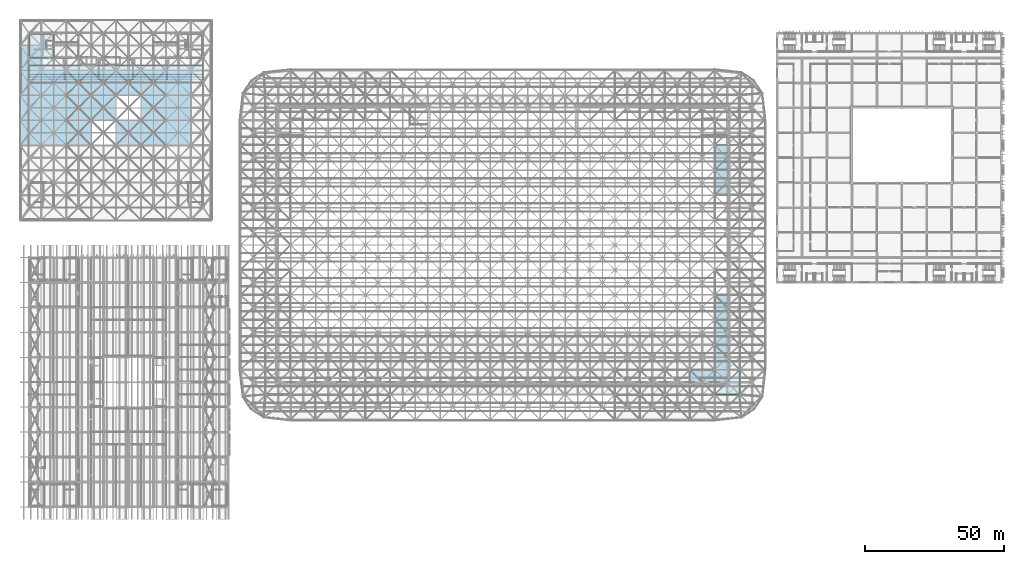
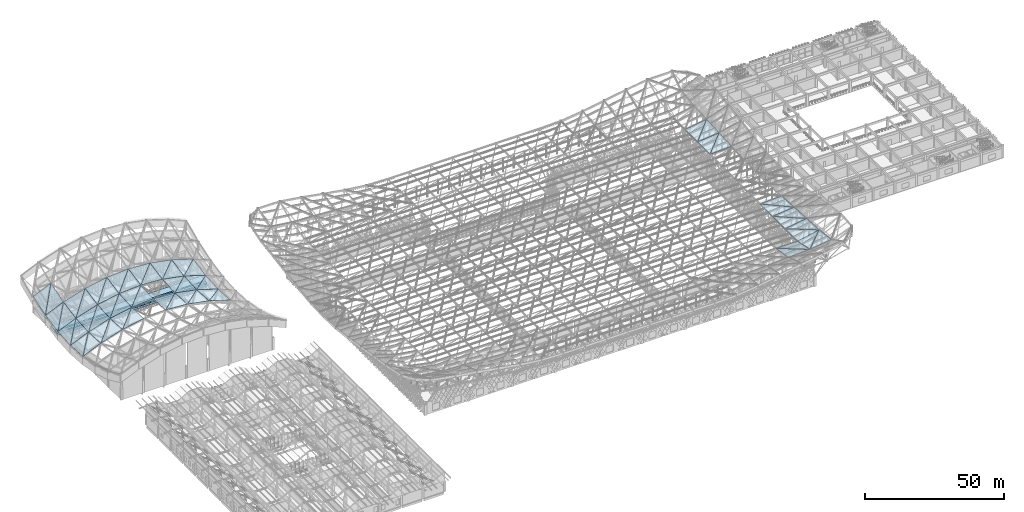
# One storey, part 242 of 437: 58 slabs.
"""IFC4 building model written with IfcOpenShell, lengths in metres."""

from ifc_helpers import new_model, si_unit, direction, frame, origin, place, context, subcontext, project, spatial, polyline, outline, extrude, material, layer, layer_set, type_object, element, save


model = new_model("IFC4")

# Units and contexts
model_context = context("Model", 3, precision=1e-05, world=origin(), true_north=direction((0.0, 1.0)))
body_context = subcontext(model_context, "Body", "Model", "MODEL_VIEW")
ifc_project = project(units=[si_unit("LENGTHUNIT", "METRE"), si_unit("AREAUNIT", "SQUARE_METRE"), si_unit("VOLUMEUNIT", "CUBIC_METRE"), si_unit("PLANEANGLEUNIT", "RADIAN"), si_unit("MASSUNIT", "GRAM", prefix="KILO")], contexts=[model_context])

# Site, building, storey
site_placement = place(None, origin())
site = spatial("IfcSite", under=ifc_project, at=site_placement, CompositionType="ELEMENT")
building_placement = place(site_placement, origin())
building = spatial("IfcBuilding", under=site, at=building_placement, Name="Opaline Strait Convention Centre", CompositionType="ELEMENT")
storey_placement = place(building_placement, frame((0.0, 0.0, 11.5)))
storey = spatial("IfcBuildingStorey", under=building, at=storey_placement, Name="L02", CompositionType="ELEMENT", Elevation=11.5)

# Slabs
ifc_material_1 = material(Name="Concrete C35", Category="concrete")
ifc_layer_1 = layer(ifc_material_1, 0.25)
ifc_layer_set_1 = layer_set([ifc_layer_1], Name="Concrete C35")
slab_type_1 = type_object("IfcSlabType", Name="Core roof slab 250", PredefinedType="ROOF", material=ifc_layer_set_1)
slab_1_placement = place(storey_placement, frame((0.0, 0.0, 2.25)))
element("IfcSlab", 1, at=slab_1_placement, inside=storey, type_object=slab_type_1, Name="PFS10 NW core roof slab", PredefinedType="ROOF", context=body_context, shape_type="SweptSolid", body=[
    extrude(outline(polyline([(17.85009765625, 171.14990234375), (9.39990234375, 171.14990234375), (9.39990234375, 171.39990234375), (9.199951171875, 171.39990234375), (9.199951171875, 179.550048828125), (17.85009765625, 179.550048828125), (17.85009765625, 177.300048828125), (15.25, 177.300048828125), (15.25, 174.199951171875), (17.85009765625, 174.199951171875), (17.85009765625, 171.14990234375)])), origin(), (0.0, 0.0, 1.0), 0.25),
])
ifc_material_2 = material(Name="Steel Q235-B insulated roof panel", Category="steel")
ifc_layer_2 = layer(ifc_material_2, 0.1201171875)
ifc_layer_set_2 = layer_set([ifc_layer_2], Name="Steel Q235-B insulated roof panel")
slab_type_2 = type_object("IfcSlabType", Name="Insulated roof panel 120 steel Q235B facings", PredefinedType="ROOF", material=ifc_layer_set_2)
slab_2_placement = place(storey_placement, frame((256.5, 49.5, 20.34375), z_axis=(0.0, 0.200080818622, 0.979779396609), x_axis=(0.0, 0.979779396609, -0.200080818622)))
element("IfcSlab", 2, at=slab_2_placement, inside=storey, type_object=slab_type_2, Name="EXB-RF-D-18-1a", PredefinedType="ROOF", context=body_context, shape_type="SweptSolid", body=[
    extrude(outline(polyline([(0.0, 0.0), (9.185741230268949, 0.0), (9.185741230268949, 9.0), (0.0, 0.0)])), origin(), (0.0, 0.0, -1.0), 0.1201171875),
])
slab_3_placement = place(storey_placement, frame((247.5, 49.5, 19.9052734375), z_axis=(-0.047870172727, 0.153677176429, 0.986960876635), x_axis=(0.998825819985, 0.0, 0.048445653378)))
element("IfcSlab", 3, at=slab_3_placement, inside=storey, type_object=slab_type_2, Name="EXB-RF-D-18-1b", PredefinedType="ROOF", context=body_context, shape_type="SweptSolid", body=[
    extrude(outline(polyline([(0.0, 0.0), (9.010580043009819, 0.0), (-0.06789014902118, 9.10819526151408), (0.0, 0.0)])), origin(), (0.0, 0.0, -1.0), 0.1201171875),
])
slab_4_placement = place(storey_placement, frame((256.5, 49.5, 20.34326171875), z_axis=(-0.128055354825, 0.128055354825, 0.983465125056), x_axis=(0.991629186244, 0.0, 0.129118383625)))
element("IfcSlab", 4, at=slab_4_placement, inside=storey, type_object=slab_type_2, Name="EXB-RF-D-19-1a", PredefinedType="ROOF", context=body_context, shape_type="SweptSolid", body=[
    extrude(outline(polyline([(0.0, 0.0), (9.075973282002598, 0.0), (8.924662676191517, 9.074711902655318), (0.0, 0.0)])), origin(), (0.0, 0.0, -1.0), 0.1201171875),
])
slab_5_placement = place(storey_placement, frame((256.5, 49.5, 20.351318359375), z_axis=(-0.196192334495, 0.196192334495, 0.960737808026), x_axis=(0.707106781187, 0.707106781187, 0.0)))
element("IfcSlab", 5, at=slab_5_placement, inside=storey, type_object=slab_type_2, Name="EXB-RF-D-19-1b", PredefinedType="ROOF", context=body_context, shape_type="SweptSolid", body=[
    extrude(outline(polyline([(0.0, 0.0), (12.727922061357857, 0.0), (6.3639610306789285, 6.624035171212704), (0.0, 0.0)])), origin(), (0.0, 0.0, -1.0), 0.1201171875),
])
slab_6_placement = place(storey_placement, frame((265.5, 58.5, 20.3427734375), z_axis=(-0.153677176429, 0.047870172727, 0.986960876635), x_axis=(0.0, 0.998825819985, -0.048445653378)))
element("IfcSlab", 6, at=slab_6_placement, inside=storey, type_object=slab_type_2, Name="EXB-RF-D-19-2a", PredefinedType="ROOF", context=body_context, shape_type="SweptSolid", body=[
    extrude(outline(polyline([(0.0, 0.0), (9.010580043009819, 0.0), (9.078470192030998, 9.10819526151408), (0.0, 0.0)])), origin(), (0.0, 0.0, -1.0), 0.1201171875),
])
slab_7_placement = place(storey_placement, frame((256.5, 58.5, 18.507568359375), z_axis=(-0.200080818622, 0.0, 0.979779396609), x_axis=(0.979779396609, 0.0, 0.200080818622)))
element("IfcSlab", 7, at=slab_7_placement, inside=storey, type_object=slab_type_2, Name="EXB-RF-D-19-2b", PredefinedType="ROOF", context=body_context, shape_type="SweptSolid", body=[
    extrude(outline(polyline([(0.0, 0.0), (9.185741230268949, 0.0), (0.0, 9.0), (0.0, 0.0)])), origin(), (0.0, 0.0, -1.0), 0.1201171875),
])
slab_8_placement = place(storey_placement, frame((265.5, 67.5, 19.90380859375), z_axis=(-0.09823999425, 0.056491365692, 0.993558065305), x_axis=(0.0, 0.998387513024, -0.056765956687)))
element("IfcSlab", 8, at=slab_8_placement, inside=storey, type_object=slab_type_2, Name="EXB-RF-D-19-3a", PredefinedType="ROOF", context=body_context, shape_type="SweptSolid", body=[
    extrude(outline(polyline([(0.0, 0.0), (9.014535821610648, 0.0), (9.065051425156282, 9.043746843781088), (0.0, 0.0)])), origin(), (0.0, 0.0, -1.0), 0.1201171875),
])
slab_9_placement = place(storey_placement, frame((256.5, 67.5, 18.50439453125), z_axis=(-0.153879728486, 0.0, 0.988089585595), x_axis=(0.988089585595, 0.0, 0.153879728486)))
element("IfcSlab", 9, at=slab_9_placement, inside=storey, type_object=slab_type_2, Name="EXB-RF-D-19-3b", PredefinedType="ROOF", context=body_context, shape_type="SweptSolid", body=[
    extrude(outline(polyline([(0.0, 0.0), (9.108485840968758, 0.0), (0.0, 8.999999999999998), (0.0, 0.0)])), origin(), (0.0, 0.0, -1.0), 0.1201171875),
])
slab_10_placement = place(storey_placement, frame((265.5, 76.5, 19.390380859375), z_axis=(-0.044540921883, 0.054066076502, 0.997543465544), x_axis=(0.0, 0.998534450404, -0.054119787107)))
element("IfcSlab", 10, at=slab_10_placement, inside=storey, type_object=slab_type_2, Name="EXB-RF-D-19-4a", PredefinedType="ROOF", context=body_context, shape_type="SweptSolid", body=[
    extrude(outline(polyline([(0.0, 0.0), (9.013209305256478, 3.469446951953614e-18), (9.034957637672953, 9.008940827189475), (0.0, 0.0)])), origin(), (0.0, 0.0, -1.0), 0.1201171875),
])
slab_11_placement = place(storey_placement, frame((256.5, 76.5, 18.501708984375), z_axis=(-0.098397125827, 0.0, 0.995147228117), x_axis=(0.995147228117, 0.0, 0.098397125827)))
element("IfcSlab", 11, at=slab_11_placement, inside=storey, type_object=slab_type_2, Name="EXB-RF-D-19-4b", PredefinedType="ROOF", context=body_context, shape_type="SweptSolid", body=[
    extrude(outline(polyline([(0.0, 0.0), (9.043887925035445, 0.0), (0.0, 9.0), (0.0, 0.0)])), origin(), (0.0, 0.0, -1.0), 0.1201171875),
])
slab_12_placement = place(storey_placement, frame((256.5, 121.5, 18.500732421875), z_axis=(-0.044540921883, -0.054066076502, 0.997543465544), x_axis=(0.999004649677, 0.0, 0.044606164642)))
element("IfcSlab", 12, at=slab_12_placement, inside=storey, type_object=slab_type_2, Name="EXB-RF-D-19-9a", PredefinedType="ROOF", context=body_context, shape_type="SweptSolid", body=[
    extrude(outline(polyline([(0.0, 0.0), (9.008967078292844, 3.469446951953614e-18), (9.030725651768186, 9.013183041791745), (0.0, 0.0)])), origin(), (0.0, 0.0, -1.0), 0.1201171875),
])
slab_13_placement = place(storey_placement, frame((256.5, 121.5, 18.501708984375), z_axis=(-0.098397125827, 0.0, 0.995147228117), x_axis=(0.70538480759, 0.70538480759, 0.069746300555)))
element("IfcSlab", 13, at=slab_13_placement, inside=storey, type_object=slab_type_2, Name="EXB-RF-D-19-9b", PredefinedType="ROOF", context=body_context, shape_type="SweptSolid", body=[
    extrude(outline(polyline([(0.0, 0.0), (12.75899325184405, -1.0477729794899915e-15), (6.348463268314147, 6.379421143870819), (0.0, 0.0)])), origin(), (0.0, 0.0, -1.0), 0.1201171875),
])
slab_14_placement = place(storey_placement, frame((256.5, 130.5, 18.502197265625), z_axis=(-0.09823999425, -0.056491365692, 0.993558065305), x_axis=(0.995147228117, 0.0, 0.098397125827)))
element("IfcSlab", 14, at=slab_14_placement, inside=storey, type_object=slab_type_2, Name="EXB-RF-D-19-10a", PredefinedType="ROOF", context=body_context, shape_type="SweptSolid", body=[
    extrude(outline(polyline([(0.0, 0.0), (9.043887925035445, 6.938893903907228e-18), (9.094239579267231, 9.014395198238075), (0.0, 0.0)])), origin(), (0.0, 0.0, -1.0), 0.1201171875),
])
slab_15_placement = place(storey_placement, frame((256.5, 130.5, 18.50439453125), z_axis=(-0.153879728486, 0.0, 0.988089585595), x_axis=(0.702857973456, 0.702857973456, 0.10945929974)))
element("IfcSlab", 15, at=slab_15_placement, inside=storey, type_object=slab_type_2, Name="EXB-RF-D-19-10b", PredefinedType="ROOF", context=body_context, shape_type="SweptSolid", body=[
    extrude(outline(polyline([(0.0, 0.0), (12.804862916686314, 1.1102230246251565e-15), (6.325721761101169, 6.401971899433105), (0.0, 0.0)])), origin(), (0.0, 0.0, -1.0), 0.1201171875),
])
ifc_layer_3 = layer(ifc_material_1, 0.300048828125)
ifc_layer_set_3 = layer_set([ifc_layer_3], Name="Concrete C35")
slab_type_3 = type_object("IfcSlabType", Name="Seating tier 300 C35", PredefinedType="USERDEFINED", material=ifc_layer_set_3)
slab_16_placement = place(storey_placement, origin())
element("IfcSlab", 16, at=slab_16_placement, inside=storey, type_object=slab_type_3, Name="PT1 Upper Circle row 1", ObjectType="SEATING TIER", PredefinedType="USERDEFINED", context=body_context, shape_type="SweptSolid", body=[
    extrude(outline(polyline([(9.199951171875, 163.300048828125), (9.199951171875, 164.199951171875), (71.800048828125, 164.199951171875), (71.800048828125, 163.300048828125), (9.199951171875, 163.300048828125)])), origin(), (0.0, 0.0, 1.0), 0.25),
])
slab_17_placement = place(storey_placement, origin())
element("IfcSlab", 17, at=slab_17_placement, inside=storey, type_object=slab_type_3, Name="PT1 Upper Circle row 2", ObjectType="SEATING TIER", PredefinedType="USERDEFINED", context=body_context, shape_type="SweptSolid", body=[
    extrude(outline(polyline([(9.199951171875, 164.199951171875), (9.199951171875, 165.10009765625), (71.800048828125, 165.10009765625), (71.800048828125, 164.199951171875), (9.199951171875, 164.199951171875)])), origin(), (0.0, 0.0, 1.0), 0.804931640625),
])
slab_18_placement = place(storey_placement, origin())
element("IfcSlab", 18, at=slab_18_placement, inside=storey, type_object=slab_type_3, Name="PT1 Upper Circle row 3", ObjectType="SEATING TIER", PredefinedType="USERDEFINED", context=body_context, shape_type="SweptSolid", body=[
    extrude(outline(polyline([(9.199951171875, 165.10009765625), (9.199951171875, 168.199951171875), (71.800048828125, 168.199951171875), (71.800048828125, 165.10009765625), (9.199951171875, 165.10009765625)])), origin(), (0.0, 0.0, 1.0), 1.364013671875),
])
ifc_material_3 = material(Name="Steel Q235-B profiled roof deck with insulation and membrane", Category="steel")
ifc_layer_4 = layer(ifc_material_3, 0.199951171875)
ifc_layer_set_4 = layer_set([ifc_layer_4], Name="Steel Q235-B profiled roof deck with insulation and membrane")
slab_type_4 = type_object("IfcSlabType", Name="Shell roof deck panel 200", PredefinedType="ROOF", material=ifc_layer_set_4)
slab_19_placement = place(storey_placement, frame((6.03857421875, 139.523193359375, 6.408203125), z_axis=(-0.397356792531, 0.058158786698, 0.915819379004), x_axis=(0.917372173394, 0.0, 0.398030520792)))
element("IfcSlab", 19, at=slab_19_placement, inside=storey, type_object=slab_type_4, Name="PRD1 roof deck 1-4a", PredefinedType="ROOF", context=body_context, shape_type="SweptSolid", body=[
    extrude(outline(polyline([(0.0, 0.0), (8.112453034563291, 0.0), (7.886714533635452, 8.945806224123345), (0.0, 0.0)])), origin(), (0.0, 0.0, -1.0), 0.199951171875),
])
slab_20_placement = place(storey_placement, frame((6.019287109375, 139.546142578125, 6.3984375), z_axis=(-0.397356792531, 0.058158786698, 0.915819379004), x_axis=(0.624030248267, 0.748844486487, 0.223199875237)))
element("IfcSlab", 20, at=slab_20_placement, inside=storey, type_object=slab_type_4, Name="PRD1 roof deck 1-4b", PredefinedType="ROOF", context=body_context, shape_type="SweptSolid", body=[
    extrude(outline(polyline([(0.0, 0.0), (11.925926175128735, -1.1102230246251565e-16), (6.561093263068996, 6.0852659813418), (0.0, 0.0)])), origin(), (0.0, 0.0, -1.0), 0.199951171875),
])
slab_21_placement = place(storey_placement, frame((6.03857421875, 148.523193359375, 5.839599609375), z_axis=(-0.397356792531, -0.058158786698, 0.915819379004), x_axis=(0.917372173394, 0.0, 0.398030520792)))
element("IfcSlab", 21, at=slab_21_placement, inside=storey, type_object=slab_type_4, Name="PRD1 roof deck 1-5a", PredefinedType="ROOF", context=body_context, shape_type="SweptSolid", body=[
    extrude(outline(polyline([(0.0, 0.0), (8.112453034563291, 0.0), (8.338191535491129, 8.945806224123347), (0.0, 0.0)])), origin(), (0.0, 0.0, -1.0), 0.199951171875),
])
slab_22_placement = place(storey_placement, frame((6.019287109375, 148.546142578125, 5.832763671875), z_axis=(-0.397356792531, -0.058158786698, 0.915819379004), x_axis=(0.608555732012, 0.730274863924, 0.310416726604)))
element("IfcSlab", 22, at=slab_22_placement, inside=storey, type_object=slab_type_4, Name="PRD1 roof deck 1-5b", PredefinedType="ROOF", context=body_context, shape_type="SweptSolid", body=[
    extrude(outline(polyline([(0.0, 0.0), (12.229181783018026, 4.440892098500626e-16), (6.697888813050301, 5.934365367786246), (0.0, 0.0)])), origin(), (0.0, 0.0, -1.0), 0.199951171875),
])
slab_23_placement = place(storey_placement, frame((6.03857421875, 157.523193359375, 6.4169921875), z_axis=(-0.392090681836, -0.172114642209, 0.903682160472), x_axis=(0.917372173394, 0.0, 0.398030520792)))
element("IfcSlab", 23, at=slab_23_placement, inside=storey, type_object=slab_type_4, Name="PRD1 roof deck 1-6a", PredefinedType="ROOF", context=body_context, shape_type="SweptSolid", body=[
    extrude(outline(polyline([(0.0, 0.0), (8.112453034563291, -1.1102230246251565e-16), (8.789474186506576, 9.065955995625417), (0.0, 0.0)])), origin(), (0.0, 0.0, -1.0), 0.199951171875),
])
slab_24_placement = place(storey_placement, frame((6.019287109375, 157.546142578125, 6.4130859375), z_axis=(-0.3920639263, -0.17214061533, 0.90368882158), x_axis=(0.589373193853, 0.707255566418, 0.390421313633)))
element("IfcSlab", 24, at=slab_24_placement, inside=storey, type_object=slab_type_4, Name="PRD1 roof deck 1-6b", PredefinedType="ROOF", context=body_context, shape_type="SweptSolid", body=[
    extrude(outline(polyline([(0.0, 0.0), (12.62720929540181, 1.1102230246251565e-15), (6.980435628166092, 5.824454033345055), (0.0, 0.0)])), origin(), (0.0, 0.0, -1.0), 0.199951171875),
])
slab_25_placement = place(storey_placement, frame((6.03857421875, 166.523193359375, 8.139892578125), z_axis=(-0.382153424554, -0.279619637498, 0.88077898387), x_axis=(0.917372173394, 0.0, 0.398030520792)))
element("IfcSlab", 25, at=slab_25_placement, inside=storey, type_object=slab_type_4, Name="PRD1 roof deck 1-7a", PredefinedType="ROOF", context=body_context, shape_type="SweptSolid", body=[
    extrude(outline(polyline([(0.0, 0.0), (8.112453034563291, 0.0), (9.240951188362253, 9.30170093849115), (0.0, 0.0)])), origin(), (0.0, 0.0, -1.0), 0.199951171875),
])
slab_26_placement = place(storey_placement, frame((6.019287109375, 166.546142578125, 8.138916015625), z_axis=(-0.382128749771, -0.279622724987, 0.880788709208), x_axis=(0.567599905528, 0.681127334718, 0.462488811912)))
element("IfcSlab", 26, at=slab_26_placement, inside=storey, type_object=slab_type_4, Name="PRD1 roof deck 1-7b", PredefinedType="ROOF", context=body_context, shape_type="SweptSolid", body=[
    extrude(outline(polyline([(0.0, 0.0), (13.111592513302204, 1.3322676295501878e-15), (7.394170038265126, 5.755119275695084), (0.0, 0.0)])), origin(), (0.0, 0.0, -1.0), 0.199951171875),
])
slab_27_placement = place(storey_placement, frame((13.546142578125, 139.523193359375, 9.652099609375), z_axis=(-0.302010350504, 0.060391666713, 0.951389822722), x_axis=(0.953129515183, 0.0, 0.30256260061)))
element("IfcSlab", 27, at=slab_27_placement, inside=storey, type_object=slab_type_4, Name="PRD1 roof deck 2-4a", PredefinedType="ROOF", context=body_context, shape_type="SweptSolid", body=[
    extrude(outline(polyline([(0.0, 0.0), (9.36983266202657, 0.0), (9.198311578380181, 8.946994496737714), (0.0, 0.0)])), origin(), (0.0, 0.0, -1.0), 0.199951171875),
])
slab_28_placement = place(storey_placement, frame((13.523193359375, 139.546142578125, 9.643310546875), z_axis=(-0.30203351196, 0.060417105682, 0.95138085486), x_axis=(0.695973656748, 0.695973656748, 0.176752194401)))
element("IfcSlab", 28, at=slab_28_placement, inside=storey, type_object=slab_type_4, Name="PRD1 roof deck 2-4b", PredefinedType="ROOF", context=body_context, shape_type="SweptSolid", body=[
    extrude(outline(polyline([(0.0, 0.0), (12.831899563884445, 2.220446049250313e-16), (6.1152639199826835, 6.533142739855235), (0.0, 0.0)])), origin(), (0.0, 0.0, -1.0), 0.199951171875),
])
slab_29_placement = place(storey_placement, frame((13.546142578125, 148.523193359375, 9.08349609375), z_axis=(-0.302033986457, -0.060391192332, 0.951382349486), x_axis=(0.953122000875, 0.0, 0.302586271082)))
element("IfcSlab", 29, at=slab_29_placement, inside=storey, type_object=slab_type_4, Name="PRD1 roof deck 2-5a", PredefinedType="ROOF", context=body_context, shape_type="SweptSolid", body=[
    extrude(outline(polyline([(0.0, 0.0), (9.369906532738456, -2.7755575615628914e-17), (9.54144103504598, 8.946994239481116), (0.0, 0.0)])), origin(), (0.0, 0.0, -1.0), 0.199951171875),
])
slab_30_placement = place(storey_placement, frame((13.523193359375, 148.546142578125, 9.07763671875), z_axis=(-0.302009876037, -0.060417580265, 0.951388328061), x_axis=(0.682769682417, 0.682769682417, 0.260098292085)))
element("IfcSlab", 30, at=slab_30_placement, inside=storey, type_object=slab_type_4, Name="PRD1 roof deck 2-5b", PredefinedType="ROOF", context=body_context, shape_type="SweptSolid", body=[
    extrude(outline(polyline([(0.0, 0.0), (13.080053629346004, 6.661338147750939e-16), (6.245098465652139, 6.409145966872223), (0.0, 0.0)])), origin(), (0.0, 0.0, -1.0), 0.199951171875),
])
slab_31_placement = place(storey_placement, frame((13.546142578125, 157.523193359375, 9.660888671875), z_axis=(-0.297720568101, -0.178611831392, 0.937795434525), x_axis=(0.953122000875, 0.0, 0.302586271082)))
element("IfcSlab", 31, at=slab_31_placement, inside=storey, type_object=slab_type_4, Name="PRD1 roof deck 2-6a", PredefinedType="ROOF", context=body_context, shape_type="SweptSolid", body=[
    extrude(outline(polyline([(0.0, 0.0), (9.369906532738456, -5.551115123125783e-17), (9.884583913262361, 9.076619577175862), (0.0, 0.0)])), origin(), (0.0, 0.0, -1.0), 0.199951171875),
])
slab_32_placement = place(storey_placement, frame((13.523193359375, 157.546142578125, 9.657958984375), z_axis=(-0.297695840107, -0.178638013595, 0.937798297547), x_axis=(0.665486006069, 0.665486006069, 0.338018862569)))
element("IfcSlab", 32, at=slab_32_placement, inside=storey, type_object=slab_type_4, Name="PRD1 roof deck 2-6b", PredefinedType="ROOF", context=body_context, shape_type="SweptSolid", body=[
    extrude(outline(polyline([(0.0, 0.0), (13.419762370738804, -5.551115123125783e-17), (6.518260140719834, 6.33743095295113), (0.0, 0.0)])), origin(), (0.0, 0.0, -1.0), 0.199951171875),
])
slab_33_placement = place(storey_placement, frame((22.546142578125, 139.523193359375, 12.4970703125), z_axis=(-0.186733378169, 0.062235525206, 0.980437343679), x_axis=(0.982341621958, 0.0, 0.187096065615)))
element("IfcSlab", 33, at=slab_33_placement, inside=storey, type_object=slab_type_4, Name="PRD1 roof deck 3-4a", PredefinedType="ROOF", context=body_context, shape_type="SweptSolid", body=[
    extrude(outline(polyline([(0.0, 0.0), (9.091199907316696, -1.3877787807814457e-17), (8.985136170901374, 8.948009862008858), (0.0, 0.0)])), origin(), (0.0, 0.0, -1.0), 0.199951171875),
])
slab_34_placement = place(storey_placement, frame((22.523193359375, 139.546142578125, 12.4912109375), z_axis=(-0.186758934348, 0.06226191224, 0.98043080058), x_axis=(0.704273480481, 0.704273480481, 0.089430025064)))
element("IfcSlab", 34, at=slab_34_placement, inside=storey, type_object=slab_type_4, Name="PRD1 roof deck 3-4b", PredefinedType="ROOF", context=body_context, shape_type="SweptSolid", body=[
    extrude(outline(polyline([(0.0, 0.0), (12.680676342382055, 4.440892098500626e-16), (6.238910636661285, 6.415169595429244), (0.0, 0.0)])), origin(), (0.0, 0.0, -1.0), 0.199951171875),
])
slab_35_placement = place(storey_placement, frame((22.546142578125, 148.523193359375, 11.928466796875), z_axis=(-0.186758934348, -0.06226191224, 0.98043080058), x_axis=(0.982336685972, 0.0, 0.187121979985)))
element("IfcSlab", 35, at=slab_35_placement, inside=storey, type_object=slab_type_4, Name="PRD1 roof deck 3-5a", PredefinedType="ROOF", context=body_context, shape_type="SweptSolid", body=[
    extrude(outline(polyline([(0.0, 0.0), (9.091245588230473, -1.3877787807814457e-17), (9.197369699437811, 8.948024616829438), (0.0, 0.0)])), origin(), (0.0, 0.0, -1.0), 0.199951171875),
])
slab_36_placement = place(storey_placement, frame((22.523193359375, 148.546142578125, 11.925537109375), z_axis=(-0.186733066618, -0.062262223877, 0.980435707892), x_axis=(0.695973656748, 0.695973656748, 0.176752194401)))
element("IfcSlab", 36, at=slab_36_placement, inside=storey, type_object=slab_type_4, Name="PRD1 roof deck 3-5b", PredefinedType="ROOF", context=body_context, shape_type="SweptSolid", body=[
    extrude(outline(polyline([(0.0, 0.0), (12.831899563884445, 5.551115123125783e-17), (6.31574992954985, 6.339535448103133), (0.0, 0.0)])), origin(), (0.0, 0.0, -1.0), 0.199951171875),
])
slab_37_placement = place(storey_placement, frame((22.546142578125, 157.523193359375, 12.506103515625), z_axis=(-0.183904067851, -0.183930464301, 0.965582144682), x_axis=(0.982341621958, 0.0, 0.187096065615)))
element("IfcSlab", 37, at=slab_37_placement, inside=storey, type_object=slab_type_4, Name="PRD1 roof deck 3-6a", PredefinedType="ROOF", context=body_context, shape_type="SweptSolid", body=[
    extrude(outline(polyline([(0.0, 0.0), (9.091199907316696, 0.0), (9.40948247206345, 9.085672377677849), (0.0, 0.0)])), origin(), (0.0, 0.0, -1.0), 0.199951171875),
])
slab_38_placement = place(storey_placement, frame((22.523193359375, 157.546142578125, 12.506103515625), z_axis=(-0.183930464301, -0.183904067851, 0.965582144682), x_axis=(0.682769682417, 0.682769682417, 0.260098292085)))
element("IfcSlab", 38, at=slab_38_placement, inside=storey, type_object=slab_type_4, Name="PRD1 roof deck 3-6b", PredefinedType="ROOF", context=body_context, shape_type="SweptSolid", body=[
    extrude(outline(polyline([(0.0, 0.0), (13.080053629346004, -2.2616457318047622e-16), (6.5399950643932065, 6.314933120192769), (0.0, 0.0)])), origin(), (0.0, 0.0, -1.0), 0.199951171875),
])
slab_39_placement = place(storey_placement, frame((31.546142578125, 148.523193359375, 13.6337890625), z_axis=(-0.06322296325, -0.063250191055, 0.995993107531), x_axis=(0.997991383615, 0.0, 0.063349808441)))
element("IfcSlab", 39, at=slab_39_placement, inside=storey, type_object=slab_type_4, Name="PRD1 roof deck 4-5a", PredefinedType="ROOF", context=body_context, shape_type="SweptSolid", body=[
    extrude(outline(polyline([(0.0, 0.0), (8.94863844429923, 0.0), (8.984566570521732, 8.948581789317863), (0.0, 0.0)])), origin(), (0.0, 0.0, -1.0), 0.199951171875),
])
slab_40_placement = place(storey_placement, frame((31.523193359375, 148.546142578125, 13.6337890625), z_axis=(-0.063250191055, -0.06322296325, 0.995993107531), x_axis=(0.704273480481, 0.704273480481, 0.089430025064)))
element("IfcSlab", 40, at=slab_40_placement, inside=storey, type_object=slab_type_4, Name="PRD1 roof deck 4-5b", PredefinedType="ROOF", context=body_context, shape_type="SweptSolid", body=[
    extrude(outline(polyline([(0.0, 0.0), (12.680676342382055, -4.326644294574966e-17), (6.340327254439921, 6.314933120263151), (0.0, 0.0)])), origin(), (0.0, 0.0, -1.0), 0.199951171875),
])
slab_41_placement = place(storey_placement, frame((31.546142578125, 157.523193359375, 14.211181640625), z_axis=(-0.06226191224, -0.186758934348, 0.98043080058), x_axis=(0.997989658383, 0.0, 0.063376981313)))
element("IfcSlab", 41, at=slab_41_placement, inside=storey, type_object=slab_type_4, Name="PRD1 roof deck 4-6a", PredefinedType="ROOF", context=body_context, shape_type="SweptSolid", body=[
    extrude(outline(polyline([(0.0, 0.0), (8.948653913878061, 1.3877787807814457e-17), (9.05646905200988, 9.090606263693838), (0.0, 0.0)])), origin(), (0.0, 0.0, -1.0), 0.199951171875),
])
slab_42_placement = place(storey_placement, frame((31.523193359375, 157.546142578125, 14.21435546875), z_axis=(-0.062262223877, -0.186733066618, 0.980435707892), x_axis=(0.695973656748, 0.695973656748, 0.176752194401)))
element("IfcSlab", 42, at=slab_42_placement, inside=storey, type_object=slab_type_4, Name="PRD1 roof deck 4-6b", PredefinedType="ROOF", context=body_context, shape_type="SweptSolid", body=[
    extrude(outline(polyline([(0.0, 0.0), (12.831899563884445, -5.551115123125783e-17), (6.516149634334594, 6.339535448103133), (0.0, 0.0)])), origin(), (0.0, 0.0, -1.0), 0.199951171875),
])
slab_43_placement = place(storey_placement, frame((40.546142578125, 139.523193359375, 14.767822265625), z_axis=(0.063250191055, 0.06322296325, 0.995993107531), x_axis=(0.997989658383, 0.0, -0.063376981313)))
element("IfcSlab", 43, at=slab_43_placement, inside=storey, type_object=slab_type_4, Name="PRD1 roof deck 5-4a", PredefinedType="ROOF", context=body_context, shape_type="SweptSolid", body=[
    extrude(outline(polyline([(0.0, 0.0), (8.948653913878061, 0.0), (8.98458197799145, 8.948566319863716), (0.0, 0.0)])), origin(), (0.0, 0.0, -1.0), 0.199951171875),
])
slab_44_placement = place(storey_placement, frame((40.523193359375, 139.546142578125, 14.767822265625), z_axis=(0.06322296325, 0.063250191055, 0.995993107531), x_axis=(0.704273480481, 0.704273480481, -0.089430025064)))
element("IfcSlab", 44, at=slab_44_placement, inside=storey, type_object=slab_type_4, Name="PRD1 roof deck 5-4b", PredefinedType="ROOF", context=body_context, shape_type="SweptSolid", body=[
    extrude(outline(polyline([(0.0, 0.0), (12.680676342382055, 4.326644294574966e-17), (6.340349087942134, 6.314933120263151), (0.0, 0.0)])), origin(), (0.0, 0.0, -1.0), 0.199951171875),
])
slab_45_placement = place(storey_placement, frame((40.546142578125, 157.523193359375, 14.77685546875), z_axis=(0.062235525206, -0.186733378169, 0.980437343679), x_axis=(0.997991383615, 0.0, -0.063349808441)))
element("IfcSlab", 45, at=slab_45_placement, inside=storey, type_object=slab_type_4, Name="PRD1 roof deck 5-6a", PredefinedType="ROOF", context=body_context, shape_type="SweptSolid", body=[
    extrude(outline(polyline([(0.0, 0.0), (8.94863844429923, 1.3877787807814457e-17), (8.840884998155374, 9.090561311032404), (0.0, 0.0)])), origin(), (0.0, 0.0, -1.0), 0.199951171875),
])
slab_46_placement = place(storey_placement, frame((40.523193359375, 157.546142578125, 14.78271484375), z_axis=(0.06226191224, -0.186758934348, 0.98043080058), x_axis=(0.704273480481, 0.704273480481, 0.089430025064)))
element("IfcSlab", 46, at=slab_46_placement, inside=storey, type_object=slab_type_4, Name="PRD1 roof deck 5-6b", PredefinedType="ROOF", context=body_context, shape_type="SweptSolid", body=[
    extrude(outline(polyline([(0.0, 0.0), (12.680676342382055, -4.440892098500626e-16), (6.441765705720769, 6.415169595429243), (0.0, 0.0)])), origin(), (0.0, 0.0, -1.0), 0.199951171875),
])
slab_47_placement = place(storey_placement, frame((49.546142578125, 139.523193359375, 14.193603515625), z_axis=(0.186733066618, 0.062262223877, 0.980435707892), x_axis=(0.982341621958, 0.0, -0.187096065615)))
element("IfcSlab", 47, at=slab_47_placement, inside=storey, type_object=slab_type_4, Name="PRD1 roof deck 6-4a", PredefinedType="ROOF", context=body_context, shape_type="SweptSolid", body=[
    extrude(outline(polyline([(0.0, 0.0), (9.091199907316696, 0.0), (9.197309321482413, 8.948024791125166), (0.0, 0.0)])), origin(), (0.0, 0.0, -1.0), 0.199951171875),
])
slab_48_placement = place(storey_placement, frame((49.523193359375, 139.546142578125, 14.19677734375), z_axis=(0.186758934348, 0.06226191224, 0.98043080058), x_axis=(0.695971316144, 0.695971316144, -0.176770625979)))
element("IfcSlab", 48, at=slab_48_placement, inside=storey, type_object=slab_type_4, Name="PRD1 roof deck 6-4b", PredefinedType="ROOF", context=body_context, shape_type="SweptSolid", body=[
    extrude(outline(polyline([(0.0, 0.0), (12.831942718525609, -3.3306690738754696e-16), (6.315739479664357, 6.339545858764187), (0.0, 0.0)])), origin(), (0.0, 0.0, -1.0), 0.199951171875),
])
slab_49_placement = place(storey_placement, frame((49.546142578125, 148.523193359375, 13.625244140625), z_axis=(0.186758934348, -0.06226191224, 0.98043080058), x_axis=(0.982336685972, 0.0, -0.187121979985)))
element("IfcSlab", 49, at=slab_49_placement, inside=storey, type_object=slab_type_4, Name="PRD1 roof deck 6-5a", PredefinedType="ROOF", context=body_context, shape_type="SweptSolid", body=[
    extrude(outline(polyline([(0.0, 0.0), (9.091245588230473, 1.3877787807814457e-17), (8.985121477023133, 8.94802461682944), (0.0, 0.0)])), origin(), (0.0, 0.0, -1.0), 0.199951171875),
])
slab_50_placement = place(storey_placement, frame((49.523193359375, 148.546142578125, 13.631103515625), z_axis=(0.186733378169, -0.062235525206, 0.980437343679), x_axis=(0.704273480481, 0.704273480481, -0.089430025064)))
element("IfcSlab", 50, at=slab_50_placement, inside=storey, type_object=slab_type_4, Name="PRD1 roof deck 6-5b", PredefinedType="ROOF", context=body_context, shape_type="SweptSolid", body=[
    extrude(outline(polyline([(0.0, 0.0), (12.680676342382055, -5.551115123125783e-17), (6.2389324701634985, 6.415126782810277), (0.0, 0.0)])), origin(), (0.0, 0.0, -1.0), 0.199951171875),
])
slab_51_placement = place(storey_placement, frame((49.546142578125, 157.523193359375, 14.20263671875), z_axis=(0.183904960669, -0.183904960669, 0.965586832389), x_axis=(0.982341621958, 0.0, -0.187096065615)))
element("IfcSlab", 51, at=slab_51_placement, inside=storey, type_object=slab_type_4, Name="PRD1 roof deck 6-6a", PredefinedType="ROOF", context=body_context, shape_type="SweptSolid", body=[
    extrude(outline(polyline([(0.0, 0.0), (9.091199907316696, 0.0), (8.772963020320335, 9.085628268785268), (0.0, 0.0)])), origin(), (0.0, 0.0, -1.0), 0.199951171875),
])
slab_52_placement = place(storey_placement, frame((49.523193359375, 157.546142578125, 14.21142578125), z_axis=(0.183929571369, -0.183929571369, 0.965577457044), x_axis=(0.707106781187, 0.707106781187, 0.0)))
element("IfcSlab", 52, at=slab_52_placement, inside=storey, type_object=slab_type_4, Name="PRD1 roof deck 6-6b", PredefinedType="ROOF", context=body_context, shape_type="SweptSolid", body=[
    extrude(outline(polyline([(0.0, 0.0), (12.629866238185503, 0.0), (6.314933119092752, 6.54005856601495), (0.0, 0.0)])), origin(), (0.0, 0.0, -1.0), 0.199951171875),
])
slab_53_placement = place(storey_placement, frame((58.546142578125, 139.523193359375, 12.479736328125), z_axis=(0.302009876037, 0.060417580265, 0.951388328061), x_axis=(0.953129515183, 0.0, -0.30256260061)))
element("IfcSlab", 53, at=slab_53_placement, inside=storey, type_object=slab_type_4, Name="PRD1 roof deck 7-4a", PredefinedType="ROOF", context=body_context, shape_type="SweptSolid", body=[
    extrude(outline(polyline([(0.0, 0.0), (9.36983266202657, 0.0), (9.541427613495372, 8.947008552750779), (0.0, 0.0)])), origin(), (0.0, 0.0, -1.0), 0.199951171875),
])
slab_54_placement = place(storey_placement, frame((58.523193359375, 139.546142578125, 12.485595703125), z_axis=(0.302033986457, 0.060391192332, 0.951382349486), x_axis=(0.682769682417, 0.682769682417, -0.260098292085)))
element("IfcSlab", 54, at=slab_54_placement, inside=storey, type_object=slab_type_4, Name="PRD1 roof deck 7-4b", PredefinedType="ROOF", context=body_context, shape_type="SweptSolid", body=[
    extrude(outline(polyline([(0.0, 0.0), (13.080053629346004, 0.0), (6.245034965092548, 6.40918624253982), (0.0, 0.0)])), origin(), (0.0, 0.0, -1.0), 0.199951171875),
])
slab_55_placement = place(storey_placement, frame((58.546142578125, 148.523193359375, 11.911376953125), z_axis=(0.30203351196, -0.060417105682, 0.95138085486), x_axis=(0.953122000875, 0.0, -0.302586271082)))
element("IfcSlab", 55, at=slab_55_placement, inside=storey, type_object=slab_type_4, Name="PRD1 roof deck 7-5a", PredefinedType="ROOF", context=body_context, shape_type="SweptSolid", body=[
    extrude(outline(polyline([(0.0, 0.0), (9.369906532738456, 2.7755575615628914e-17), (9.198298156829596, 8.947008295272957), (0.0, 0.0)])), origin(), (0.0, 0.0, -1.0), 0.199951171875),
])
slab_56_placement = place(storey_placement, frame((58.523193359375, 148.546142578125, 11.920166015625), z_axis=(0.302010350504, -0.060391666713, 0.951389822722), x_axis=(0.695973656748, 0.695973656748, -0.176752194401)))
element("IfcSlab", 56, at=slab_56_placement, inside=storey, type_object=slab_type_4, Name="PRD1 roof deck 7-5b", PredefinedType="ROOF", context=body_context, shape_type="SweptSolid", body=[
    extrude(outline(polyline([(0.0, 0.0), (12.831899563884445, 7.771561172376096e-16), (6.115307072373895, 6.533081158026739), (0.0, 0.0)])), origin(), (0.0, 0.0, -1.0), 0.199951171875),
])
slab_57_placement = place(storey_placement, frame((58.546142578125, 157.523193359375, 12.48876953125), z_axis=(0.297719204738, -0.178636650186, 0.937791140042), x_axis=(0.953122000875, 0.0, -0.302586271082)))
element("IfcSlab", 57, at=slab_57_placement, inside=storey, type_object=slab_type_4, Name="PRD1 roof deck 7-6a", PredefinedType="ROOF", context=body_context, shape_type="SweptSolid", body=[
    extrude(outline(polyline([(0.0, 0.0), (9.369906532738456, 5.551115123125783e-17), (8.855155278613214, 9.076661142286657), (0.0, 0.0)])), origin(), (0.0, 0.0, -1.0), 0.199951171875),
])
slab_58_placement = place(storey_placement, frame((58.523193359375, 157.546142578125, 12.50048828125), z_axis=(0.297697203384, -0.178613194624, 0.937802592129), x_axis=(0.704273480481, 0.704273480481, -0.089430025064)))
element("IfcSlab", 58, at=slab_58_placement, inside=storey, type_object=slab_type_4, Name="PRD1 roof deck 7-6b", PredefinedType="ROOF", context=body_context, shape_type="SweptSolid", body=[
    extrude(outline(polyline([(0.0, 0.0), (12.680676342382055, 4.996003610813204e-16), (6.137515852384863, 6.706773808361185), (0.0, 0.0)])), origin(), (0.0, 0.0, -1.0), 0.199951171875),
])

save(model, "model.ifc")
